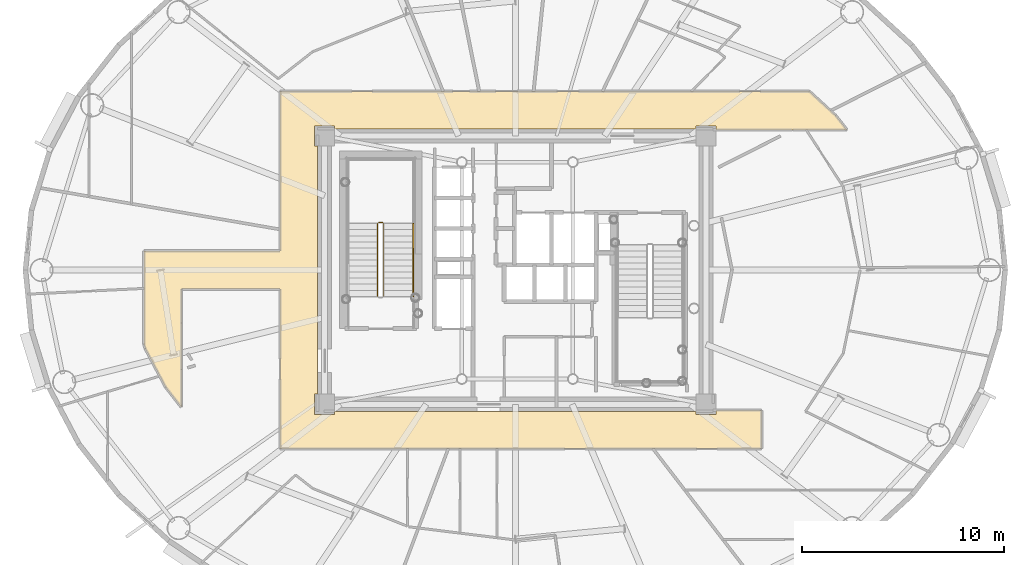
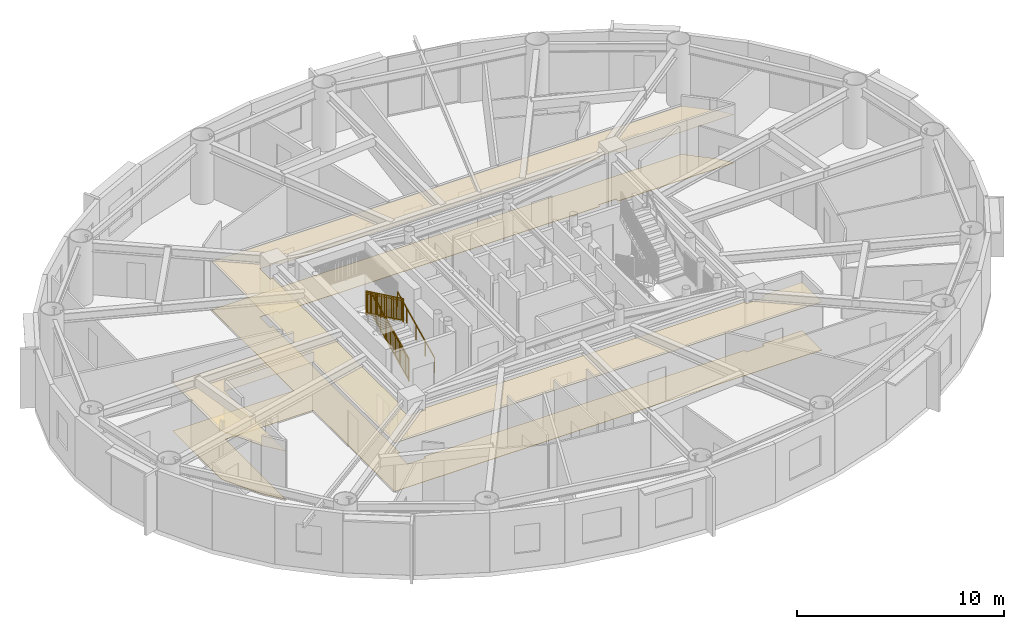
# One storey, part 17 of 21: 4 railings, 2 coverings.
"""IFC4 building model written with IfcOpenShell, lengths in metres."""

from ifc_helpers import new_model, si_unit, direction, frame, origin, origin_2d, place, context, subcontext, project, spatial, polyline, rectangle, outline, extrude, source, transform, mapped, material, layer, layer_set, type_object, element, save


model = new_model("IFC4")

# Units and contexts
model_context = context("Model", 3, precision=1e-05, world=origin(), true_north=direction((0.0, 1.0)))
body_context = subcontext(model_context, "Body", "Model", "MODEL_VIEW")
ifc_project = project(units=[si_unit("LENGTHUNIT", "METRE"), si_unit("AREAUNIT", "SQUARE_METRE"), si_unit("VOLUMEUNIT", "CUBIC_METRE"), si_unit("PLANEANGLEUNIT", "RADIAN"), si_unit("MASSUNIT", "GRAM", prefix="KILO")], contexts=[model_context])

# Site, building, storey
site_placement = place(None, origin())
site = spatial("IfcSite", under=ifc_project, at=site_placement, CompositionType="ELEMENT")
building_placement = place(site_placement, origin())
building = spatial("IfcBuilding", under=site, at=building_placement, Name="Linh Dai School and Residence Tower", CompositionType="ELEMENT")
storey_placement = place(building_placement, frame((0.0, 0.0, 229.050048828125)))
storey = spatial("IfcBuildingStorey", under=building, at=storey_placement, Name="L56", CompositionType="ELEMENT", Elevation=229.050048828125)

# Coverings
ifc_material_1 = material(Name="Mineral Fibre Acoustic Suspended Ceiling", Category="masonry")
ifc_layer_1 = layer(ifc_material_1, 0.02001953125)
ifc_layer_set_1 = layer_set([ifc_layer_1], Name="Mineral Fibre Acoustic Suspended Ceiling")
covering_type_1 = type_object("IfcCoveringType", Name="COV-CEIL-AC-20", PredefinedType="CEILING", material=ifc_layer_set_1)
covering_1_placement = place(storey_placement, frame((0.0, 0.0, 2.849853515625)))
element("IfcCovering", 1, at=covering_1_placement, inside=storey, type_object=covering_type_1, Name="L56 Residential Floor Corridor Suspended Ceiling", PredefinedType="CEILING", context=body_context, shape_type="SweptSolid", body=[
    extrude(outline(polyline([(19.449951171875, 20.211181640625), (18.6806640625, 21.1943359375), (17.66650390625, 23.111083984375), (17.60009765625, 23.327880859375), (17.60009765625, 27.949951171875), (24.35009765625, 27.949951171875), (24.35009765625, 35.85009765625), (50.56787109375, 35.85009765625), (51.873779296875, 34.65283203125), (52.423828125, 33.949951171875), (45.949951171875, 33.949951171875), (45.949951171875, 34.14990234375), (44.949951171875, 34.14990234375), (44.949951171875, 34.0), (27.050048828125, 34.0), (27.050048828125, 34.14990234375), (26.050048828125, 34.14990234375), (26.050048828125, 33.14990234375), (26.199951171875, 33.14990234375), (26.199951171875, 20.85009765625), (26.050048828125, 20.85009765625), (26.050048828125, 19.85009765625), (27.050048828125, 19.85009765625), (27.050048828125, 20.0), (44.949951171875, 20.0), (44.949951171875, 19.85009765625), (45.949951171875, 19.85009765625), (45.949951171875, 20.050048828125), (48.199951171875, 20.050048828125), (48.199951171875, 18.14990234375), (24.35009765625, 18.14990234375), (24.35009765625, 26.050048828125), (19.449951171875, 26.050048828125), (19.449951171875, 20.211181640625)])), origin(), (0.0, 0.0, 1.0), 0.02001953125),
])
ifc_material_2 = material(Name="Polished Terrazzo Floor Finish", Category="masonry")
ifc_layer_2 = layer(ifc_material_2, 0.02490234375)
ifc_layer_set_2 = layer_set([ifc_layer_2], Name="Polished Terrazzo Floor Finish")
covering_type_2 = type_object("IfcCoveringType", Name="COV-FLR-TRZ-25", PredefinedType="FLOORING", material=ifc_layer_set_2)
covering_2_placement = place(storey_placement, origin())
element("IfcCovering", 2, at=covering_2_placement, inside=storey, type_object=covering_type_2, Name="L56 Residential Floor Corridor Floor Finish", PredefinedType="FLOORING", context=body_context, shape_type="SweptSolid", body=[
    extrude(outline(polyline([(19.449951171875, 20.211181640625), (18.6806640625, 21.1943359375), (17.66650390625, 23.111083984375), (17.60009765625, 23.327880859375), (17.60009765625, 27.949951171875), (24.35009765625, 27.949951171875), (24.35009765625, 35.85009765625), (50.56787109375, 35.85009765625), (51.873779296875, 34.65283203125), (52.423828125, 33.949951171875), (45.949951171875, 33.949951171875), (45.949951171875, 34.14990234375), (44.949951171875, 34.14990234375), (44.949951171875, 34.0), (27.050048828125, 34.0), (27.050048828125, 34.14990234375), (26.050048828125, 34.14990234375), (26.050048828125, 33.14990234375), (26.199951171875, 33.14990234375), (26.199951171875, 20.85009765625), (26.050048828125, 20.85009765625), (26.050048828125, 19.85009765625), (27.050048828125, 19.85009765625), (27.050048828125, 20.0), (44.949951171875, 20.0), (44.949951171875, 19.85009765625), (45.949951171875, 19.85009765625), (45.949951171875, 20.050048828125), (48.199951171875, 20.050048828125), (48.199951171875, 18.14990234375), (24.35009765625, 18.14990234375), (24.35009765625, 26.050048828125), (19.449951171875, 26.050048828125), (19.449951171875, 20.211181640625)])), origin(), (0.0, 0.0, 1.0), 0.02001953125),
])

# Railings
ifc_material_3 = material(Name="Structural Steel S355JR", Category="steel")
railing_type_1 = type_object("IfcRailingType", Name="RL-ST-GUARD-1400", PredefinedType="GUARDRAIL", material=ifc_material_3)
shared_shape_1 = source(origin(), body_context, "Body", "SweptSolid", [
    extrude(rectangle(XDim=0.048095703125, YDim=0.048095703125, at=origin_2d()), frame((0.0, 0.0, 1.3759765625), z_axis=(-1.0, 0.0, 0.0), x_axis=(0.0, -1.0, 0.0)), (0.0, 0.0, 1.0), 0.199951171875),
    extrude(rectangle(XDim=0.048095703125, YDim=0.048095703125, at=origin_2d()), frame((0.0, 0.0, 0.10009765625), z_axis=(-1.0, 0.0, 0.0), x_axis=(0.0, -1.0, 0.0)), (0.0, 0.0, 1.0), 0.199951171875),
    extrude(rectangle(XDim=0.030029296875, YDim=0.030029296875, at=origin_2d()), frame((0.0, 0.0, 1.239990234375), z_axis=(-1.0, 0.0, 0.0), x_axis=(0.0, -1.0, 0.0)), (0.0, 0.0, 1.0), 0.199951171875),
    extrude(rectangle(XDim=0.0419921875, YDim=0.0419921875, at=origin_2d()), origin(), (0.0, 0.0, 1.0), 1.3759765625),
    extrude(rectangle(XDim=0.0419921875, YDim=0.0419921875, at=origin_2d()), frame((-0.199951171875, 0.0, 0.0)), (0.0, 0.0, 1.0), 1.3759765625),
])
railing_1_placement = place(storey_placement, frame((29.429931640625, 29.35009765625, 1.875)))
element("IfcRailing", 3, at=railing_1_placement, inside=storey, type_object=railing_type_1, Name="L56 ST1 stair guard 2", PredefinedType="GUARDRAIL", context=body_context, shape_type="MappedRepresentation", body=[
    mapped(shared_shape_1, transform((0.0, 0.0, 0.0), x_axis=(1.0, 0.0, 0.0), y_axis=(0.0, 1.0, 0.0), z_axis=(0.0, 0.0, 1.0), scale=1.0)),
])
shared_shape_2 = source(origin(), body_context, "Body", "SweptSolid", [
    extrude(rectangle(XDim=0.048095703125, YDim=0.048095703125, at=origin_2d()), frame((0.0, 0.0, 1.3759765625), z_axis=(0.0, 0.901262522062, 0.433273431364), x_axis=(-1.0, 0.0, 0.0)), (0.0, 0.0, 1.0), 3.994384765625),
    extrude(rectangle(XDim=0.048095703125, YDim=0.048095703125, at=origin_2d()), frame((0.0, 0.0, 0.10009765625), z_axis=(0.0, 0.901262522062, 0.433273431364), x_axis=(-1.0, 0.0, 0.0)), (0.0, 0.0, 1.0), 3.994384765625),
    extrude(rectangle(XDim=0.030029296875, YDim=0.030029296875, at=origin_2d()), frame((0.0, 0.0, 1.239990234375), z_axis=(0.0, 0.901262522062, 0.433273431364), x_axis=(-1.0, 0.0, 0.0)), (0.0, 0.0, 1.0), 3.994384765625),
    extrude(rectangle(XDim=0.02001953125, YDim=0.02001953125, at=origin_2d()), frame((0.0, 0.087890625, 0.142333984375)), (0.0, 0.0, 1.0), 1.251708984375),
    extrude(rectangle(XDim=0.02001953125, YDim=0.02001953125, at=origin_2d()), frame((0.0, 0.175537109375, 0.1845703125)), (0.0, 0.0, 1.0), 1.251708984375),
    extrude(rectangle(XDim=0.02001953125, YDim=0.02001953125, at=origin_2d()), frame((0.0, 0.263427734375, 0.226806640625)), (0.0, 0.0, 1.0), 1.251708984375),
    extrude(rectangle(XDim=0.02001953125, YDim=0.02001953125, at=origin_2d()), frame((0.0, 0.351318359375, 0.26904296875)), (0.0, 0.0, 1.0), 1.251708984375),
    extrude(rectangle(XDim=0.02001953125, YDim=0.02001953125, at=origin_2d()), frame((0.0, 0.43896484375, 0.311279296875)), (0.0, 0.0, 1.0), 1.251708984375),
    extrude(rectangle(XDim=0.02001953125, YDim=0.02001953125, at=origin_2d()), frame((0.0, 0.52685546875, 0.353271484375)), (0.0, 0.0, 1.0), 1.251708984375),
    extrude(rectangle(XDim=0.02001953125, YDim=0.02001953125, at=origin_2d()), frame((0.0, 0.61474609375, 0.3955078125)), (0.0, 0.0, 1.0), 1.251708984375),
    extrude(rectangle(XDim=0.02001953125, YDim=0.02001953125, at=origin_2d()), frame((0.0, 0.702392578125, 0.437744140625)), (0.0, 0.0, 1.0), 1.251708984375),
    extrude(rectangle(XDim=0.02001953125, YDim=0.02001953125, at=origin_2d()), frame((0.0, 0.790283203125, 0.47998046875)), (0.0, 0.0, 1.0), 1.251708984375),
    extrude(rectangle(XDim=0.02001953125, YDim=0.02001953125, at=origin_2d()), frame((0.0, 0.9658203125, 0.564453125)), (0.0, 0.0, 1.0), 1.251708984375),
    extrude(rectangle(XDim=0.02001953125, YDim=0.02001953125, at=origin_2d()), frame((0.0, 1.0537109375, 0.606689453125)), (0.0, 0.0, 1.0), 1.251708984375),
    extrude(rectangle(XDim=0.02001953125, YDim=0.02001953125, at=origin_2d()), frame((0.0, 1.1416015625, 0.64892578125)), (0.0, 0.0, 1.0), 1.251708984375),
    extrude(rectangle(XDim=0.02001953125, YDim=0.02001953125, at=origin_2d()), frame((0.0, 1.229248046875, 0.691162109375)), (0.0, 0.0, 1.0), 1.251708984375),
    extrude(rectangle(XDim=0.02001953125, YDim=0.02001953125, at=origin_2d()), frame((0.0, 1.317138671875, 0.7333984375)), (0.0, 0.0, 1.0), 1.251708984375),
    extrude(rectangle(XDim=0.02001953125, YDim=0.02001953125, at=origin_2d()), frame((0.0, 1.405029296875, 0.775390625)), (0.0, 0.0, 1.0), 1.251708984375),
    extrude(rectangle(XDim=0.02001953125, YDim=0.02001953125, at=origin_2d()), frame((0.0, 1.49267578125, 0.817626953125)), (0.0, 0.0, 1.0), 1.251708984375),
    extrude(rectangle(XDim=0.02001953125, YDim=0.02001953125, at=origin_2d()), frame((0.0, 1.58056640625, 0.85986328125)), (0.0, 0.0, 1.0), 1.251708984375),
    extrude(rectangle(XDim=0.02001953125, YDim=0.02001953125, at=origin_2d()), frame((0.0, 1.66845703125, 0.902099609375)), (0.0, 0.0, 1.0), 1.251708984375),
    extrude(rectangle(XDim=0.02001953125, YDim=0.02001953125, at=origin_2d()), frame((0.0, 1.756103515625, 0.9443359375)), (0.0, 0.0, 1.0), 1.251708984375),
    extrude(rectangle(XDim=0.02001953125, YDim=0.02001953125, at=origin_2d()), frame((0.0, 1.843994140625, 0.986572265625)), (0.0, 0.0, 1.0), 1.251708984375),
    extrude(rectangle(XDim=0.02001953125, YDim=0.02001953125, at=origin_2d()), frame((0.0, 1.931640625, 1.02880859375)), (0.0, 0.0, 1.0), 1.251708984375),
    extrude(rectangle(XDim=0.02001953125, YDim=0.02001953125, at=origin_2d()), frame((0.0, 2.01953125, 1.071044921875)), (0.0, 0.0, 1.0), 1.251708984375),
    extrude(rectangle(XDim=0.02001953125, YDim=0.02001953125, at=origin_2d()), frame((0.0, 2.107421875, 1.11328125)), (0.0, 0.0, 1.0), 1.251708984375),
    extrude(rectangle(XDim=0.02001953125, YDim=0.02001953125, at=origin_2d()), frame((0.0, 2.195068359375, 1.155517578125)), (0.0, 0.0, 1.0), 1.251708984375),
    extrude(rectangle(XDim=0.02001953125, YDim=0.02001953125, at=origin_2d()), frame((0.0, 2.282958984375, 1.197509765625)), (0.0, 0.0, 1.0), 1.251708984375),
    extrude(rectangle(XDim=0.02001953125, YDim=0.02001953125, at=origin_2d()), frame((0.0, 2.370849609375, 1.23974609375)), (0.0, 0.0, 1.0), 1.251708984375),
    extrude(rectangle(XDim=0.02001953125, YDim=0.02001953125, at=origin_2d()), frame((0.0, 2.45849609375, 1.281982421875)), (0.0, 0.0, 1.0), 1.251708984375),
    extrude(rectangle(XDim=0.02001953125, YDim=0.02001953125, at=origin_2d()), frame((0.0, 2.54638671875, 1.32421875)), (0.0, 0.0, 1.0), 1.251708984375),
    extrude(rectangle(XDim=0.02001953125, YDim=0.02001953125, at=origin_2d()), frame((0.0, 2.63427734375, 1.366455078125)), (0.0, 0.0, 1.0), 1.251708984375),
    extrude(rectangle(XDim=0.02001953125, YDim=0.02001953125, at=origin_2d()), frame((0.0, 2.809814453125, 1.450927734375)), (0.0, 0.0, 1.0), 1.251708984375),
    extrude(rectangle(XDim=0.02001953125, YDim=0.02001953125, at=origin_2d()), frame((0.0, 2.897705078125, 1.4931640625)), (0.0, 0.0, 1.0), 1.251708984375),
    extrude(rectangle(XDim=0.02001953125, YDim=0.02001953125, at=origin_2d()), frame((0.0, 2.9853515625, 1.535400390625)), (0.0, 0.0, 1.0), 1.251708984375),
    extrude(rectangle(XDim=0.02001953125, YDim=0.02001953125, at=origin_2d()), frame((0.0, 3.0732421875, 1.57763671875)), (0.0, 0.0, 1.0), 1.251708984375),
    extrude(rectangle(XDim=0.02001953125, YDim=0.02001953125, at=origin_2d()), frame((0.0, 3.1611328125, 1.61962890625)), (0.0, 0.0, 1.0), 1.251708984375),
    extrude(rectangle(XDim=0.02001953125, YDim=0.02001953125, at=origin_2d()), frame((0.0, 3.248779296875, 1.661865234375)), (0.0, 0.0, 1.0), 1.251708984375),
    extrude(rectangle(XDim=0.02001953125, YDim=0.02001953125, at=origin_2d()), frame((0.0, 3.336669921875, 1.7041015625)), (0.0, 0.0, 1.0), 1.251708984375),
    extrude(rectangle(XDim=0.02001953125, YDim=0.02001953125, at=origin_2d()), frame((0.0, 3.424560546875, 1.746337890625)), (0.0, 0.0, 1.0), 1.251708984375),
    extrude(rectangle(XDim=0.02001953125, YDim=0.02001953125, at=origin_2d()), frame((0.0, 3.51220703125, 1.78857421875)), (0.0, 0.0, 1.0), 1.251708984375),
    extrude(rectangle(XDim=0.0419921875, YDim=0.0419921875, at=origin_2d()), origin(), (0.0, 0.0, 1.0), 1.3759765625),
    extrude(rectangle(XDim=0.0419921875, YDim=0.0419921875, at=origin_2d()), frame((0.0, 0.89990234375, 0.4326171875)), (0.0, 0.0, 1.0), 1.3759765625),
    extrude(rectangle(XDim=0.0419921875, YDim=0.0419921875, at=origin_2d()), frame((0.0, 1.800048828125, 0.865234375)), (0.0, 0.0, 1.0), 1.3759765625),
    extrude(rectangle(XDim=0.0419921875, YDim=0.0419921875, at=origin_2d()), frame((0.0, 2.7001953125, 1.298095703125)), (0.0, 0.0, 1.0), 1.3759765625),
    extrude(rectangle(XDim=0.0419921875, YDim=0.0419921875, at=origin_2d()), frame((0.0, 3.60009765625, 1.730712890625)), (0.0, 0.0, 1.0), 1.3759765625),
])
railing_2_placement = place(storey_placement, frame((29.47998046875, 25.699951171875, 0.144287109375)))
element("IfcRailing", 4, at=railing_2_placement, inside=storey, type_object=railing_type_1, Name="L56 ST1 stair guard 1", PredefinedType="GUARDRAIL", context=body_context, shape_type="MappedRepresentation", body=[
    mapped(shared_shape_2, transform((0.0, 0.0, 0.0), x_axis=(1.0, 0.0, 0.0), y_axis=(0.0, 1.0, 0.0), z_axis=(0.0, 0.0, 1.0), scale=1.0)),
])
shared_shape_3 = source(origin(), body_context, "Body", "SweptSolid", [
    extrude(rectangle(XDim=0.048095703125, YDim=0.048095703125, at=origin_2d()), frame((0.0, 0.0, 1.3759765625), z_axis=(0.0, -0.901262522062, 0.433273431364), x_axis=(1.0, 0.0, 0.0)), (0.0, 0.0, 1.0), 3.994384765625),
    extrude(rectangle(XDim=0.048095703125, YDim=0.048095703125, at=origin_2d()), frame((0.0, 0.0, 0.10009765625), z_axis=(0.0, -0.901262522062, 0.433273431364), x_axis=(1.0, 0.0, 0.0)), (0.0, 0.0, 1.0), 3.994384765625),
    extrude(rectangle(XDim=0.030029296875, YDim=0.030029296875, at=origin_2d()), frame((0.0, 0.0, 1.239990234375), z_axis=(0.0, -0.901262522062, 0.433273431364), x_axis=(1.0, 0.0, 0.0)), (0.0, 0.0, 1.0), 3.994384765625),
    extrude(rectangle(XDim=0.02001953125, YDim=0.02001953125, at=origin_2d()), frame((0.0, -0.087890625, 0.142333984375)), (0.0, 0.0, 1.0), 1.251708984375),
    extrude(rectangle(XDim=0.02001953125, YDim=0.02001953125, at=origin_2d()), frame((0.0, -0.175537109375, 0.1845703125)), (0.0, 0.0, 1.0), 1.251708984375),
    extrude(rectangle(XDim=0.02001953125, YDim=0.02001953125, at=origin_2d()), frame((0.0, -0.263427734375, 0.226806640625)), (0.0, 0.0, 1.0), 1.251708984375),
    extrude(rectangle(XDim=0.02001953125, YDim=0.02001953125, at=origin_2d()), frame((0.0, -0.351318359375, 0.26904296875)), (0.0, 0.0, 1.0), 1.251708984375),
    extrude(rectangle(XDim=0.02001953125, YDim=0.02001953125, at=origin_2d()), frame((0.0, -0.43896484375, 0.311279296875)), (0.0, 0.0, 1.0), 1.251708984375),
    extrude(rectangle(XDim=0.02001953125, YDim=0.02001953125, at=origin_2d()), frame((0.0, -0.52685546875, 0.353271484375)), (0.0, 0.0, 1.0), 1.251708984375),
    extrude(rectangle(XDim=0.02001953125, YDim=0.02001953125, at=origin_2d()), frame((0.0, -0.61474609375, 0.3955078125)), (0.0, 0.0, 1.0), 1.251708984375),
    extrude(rectangle(XDim=0.02001953125, YDim=0.02001953125, at=origin_2d()), frame((0.0, -0.702392578125, 0.437744140625)), (0.0, 0.0, 1.0), 1.251708984375),
    extrude(rectangle(XDim=0.02001953125, YDim=0.02001953125, at=origin_2d()), frame((0.0, -0.790283203125, 0.47998046875)), (0.0, 0.0, 1.0), 1.251708984375),
    extrude(rectangle(XDim=0.02001953125, YDim=0.02001953125, at=origin_2d()), frame((0.0, -0.9658203125, 0.564453125)), (0.0, 0.0, 1.0), 1.251708984375),
    extrude(rectangle(XDim=0.02001953125, YDim=0.02001953125, at=origin_2d()), frame((0.0, -1.0537109375, 0.606689453125)), (0.0, 0.0, 1.0), 1.251708984375),
    extrude(rectangle(XDim=0.02001953125, YDim=0.02001953125, at=origin_2d()), frame((0.0, -1.1416015625, 0.64892578125)), (0.0, 0.0, 1.0), 1.251708984375),
    extrude(rectangle(XDim=0.02001953125, YDim=0.02001953125, at=origin_2d()), frame((0.0, -1.229248046875, 0.691162109375)), (0.0, 0.0, 1.0), 1.251708984375),
    extrude(rectangle(XDim=0.02001953125, YDim=0.02001953125, at=origin_2d()), frame((0.0, -1.317138671875, 0.7333984375)), (0.0, 0.0, 1.0), 1.251708984375),
    extrude(rectangle(XDim=0.02001953125, YDim=0.02001953125, at=origin_2d()), frame((0.0, -1.405029296875, 0.775390625)), (0.0, 0.0, 1.0), 1.251708984375),
    extrude(rectangle(XDim=0.02001953125, YDim=0.02001953125, at=origin_2d()), frame((0.0, -1.49267578125, 0.817626953125)), (0.0, 0.0, 1.0), 1.251708984375),
    extrude(rectangle(XDim=0.02001953125, YDim=0.02001953125, at=origin_2d()), frame((0.0, -1.58056640625, 0.85986328125)), (0.0, 0.0, 1.0), 1.251708984375),
    extrude(rectangle(XDim=0.02001953125, YDim=0.02001953125, at=origin_2d()), frame((0.0, -1.66845703125, 0.902099609375)), (0.0, 0.0, 1.0), 1.251708984375),
    extrude(rectangle(XDim=0.02001953125, YDim=0.02001953125, at=origin_2d()), frame((0.0, -1.756103515625, 0.9443359375)), (0.0, 0.0, 1.0), 1.251708984375),
    extrude(rectangle(XDim=0.02001953125, YDim=0.02001953125, at=origin_2d()), frame((0.0, -1.843994140625, 0.986572265625)), (0.0, 0.0, 1.0), 1.251708984375),
    extrude(rectangle(XDim=0.02001953125, YDim=0.02001953125, at=origin_2d()), frame((0.0, -1.931640625, 1.02880859375)), (0.0, 0.0, 1.0), 1.251708984375),
    extrude(rectangle(XDim=0.02001953125, YDim=0.02001953125, at=origin_2d()), frame((0.0, -2.01953125, 1.071044921875)), (0.0, 0.0, 1.0), 1.251708984375),
    extrude(rectangle(XDim=0.02001953125, YDim=0.02001953125, at=origin_2d()), frame((0.0, -2.107421875, 1.11328125)), (0.0, 0.0, 1.0), 1.251708984375),
    extrude(rectangle(XDim=0.02001953125, YDim=0.02001953125, at=origin_2d()), frame((0.0, -2.195068359375, 1.155517578125)), (0.0, 0.0, 1.0), 1.251708984375),
    extrude(rectangle(XDim=0.02001953125, YDim=0.02001953125, at=origin_2d()), frame((0.0, -2.282958984375, 1.197509765625)), (0.0, 0.0, 1.0), 1.251708984375),
    extrude(rectangle(XDim=0.02001953125, YDim=0.02001953125, at=origin_2d()), frame((0.0, -2.370849609375, 1.23974609375)), (0.0, 0.0, 1.0), 1.251708984375),
    extrude(rectangle(XDim=0.02001953125, YDim=0.02001953125, at=origin_2d()), frame((0.0, -2.45849609375, 1.281982421875)), (0.0, 0.0, 1.0), 1.251708984375),
    extrude(rectangle(XDim=0.02001953125, YDim=0.02001953125, at=origin_2d()), frame((0.0, -2.54638671875, 1.32421875)), (0.0, 0.0, 1.0), 1.251708984375),
    extrude(rectangle(XDim=0.02001953125, YDim=0.02001953125, at=origin_2d()), frame((0.0, -2.63427734375, 1.366455078125)), (0.0, 0.0, 1.0), 1.251708984375),
    extrude(rectangle(XDim=0.02001953125, YDim=0.02001953125, at=origin_2d()), frame((0.0, -2.809814453125, 1.450927734375)), (0.0, 0.0, 1.0), 1.251708984375),
    extrude(rectangle(XDim=0.02001953125, YDim=0.02001953125, at=origin_2d()), frame((0.0, -2.897705078125, 1.4931640625)), (0.0, 0.0, 1.0), 1.251708984375),
    extrude(rectangle(XDim=0.02001953125, YDim=0.02001953125, at=origin_2d()), frame((0.0, -2.9853515625, 1.535400390625)), (0.0, 0.0, 1.0), 1.251708984375),
    extrude(rectangle(XDim=0.02001953125, YDim=0.02001953125, at=origin_2d()), frame((0.0, -3.0732421875, 1.57763671875)), (0.0, 0.0, 1.0), 1.251708984375),
    extrude(rectangle(XDim=0.02001953125, YDim=0.02001953125, at=origin_2d()), frame((0.0, -3.1611328125, 1.61962890625)), (0.0, 0.0, 1.0), 1.251708984375),
    extrude(rectangle(XDim=0.02001953125, YDim=0.02001953125, at=origin_2d()), frame((0.0, -3.248779296875, 1.661865234375)), (0.0, 0.0, 1.0), 1.251708984375),
    extrude(rectangle(XDim=0.02001953125, YDim=0.02001953125, at=origin_2d()), frame((0.0, -3.336669921875, 1.7041015625)), (0.0, 0.0, 1.0), 1.251708984375),
    extrude(rectangle(XDim=0.02001953125, YDim=0.02001953125, at=origin_2d()), frame((0.0, -3.424560546875, 1.746337890625)), (0.0, 0.0, 1.0), 1.251708984375),
    extrude(rectangle(XDim=0.02001953125, YDim=0.02001953125, at=origin_2d()), frame((0.0, -3.51220703125, 1.78857421875)), (0.0, 0.0, 1.0), 1.251708984375),
    extrude(rectangle(XDim=0.0419921875, YDim=0.0419921875, at=origin_2d()), origin(), (0.0, 0.0, 1.0), 1.3759765625),
    extrude(rectangle(XDim=0.0419921875, YDim=0.0419921875, at=origin_2d()), frame((0.0, -0.89990234375, 0.4326171875)), (0.0, 0.0, 1.0), 1.3759765625),
    extrude(rectangle(XDim=0.0419921875, YDim=0.0419921875, at=origin_2d()), frame((0.0, -1.800048828125, 0.865234375)), (0.0, 0.0, 1.0), 1.3759765625),
    extrude(rectangle(XDim=0.0419921875, YDim=0.0419921875, at=origin_2d()), frame((0.0, -2.7001953125, 1.298095703125)), (0.0, 0.0, 1.0), 1.3759765625),
    extrude(rectangle(XDim=0.0419921875, YDim=0.0419921875, at=origin_2d()), frame((0.0, -3.60009765625, 1.730712890625)), (0.0, 0.0, 1.0), 1.3759765625),
])
railing_3_placement = place(storey_placement, frame((29.179931640625, 29.300048828125, 2.019287109375)))
element("IfcRailing", 5, at=railing_3_placement, inside=storey, type_object=railing_type_1, Name="L56 ST1 stair guard 6", PredefinedType="GUARDRAIL", context=body_context, shape_type="MappedRepresentation", body=[
    mapped(shared_shape_3, transform((0.0, 0.0, 0.0), x_axis=(1.0, 0.0, 0.0), y_axis=(0.0, 1.0, 0.0), z_axis=(0.0, 0.0, 1.0), scale=1.0)),
])
ifc_material_4 = material(Name="Brushed Stainless Steel Handrail", Category="steel")
railing_type_2 = type_object("IfcRailingType", Name="RL-ST-HANDRAIL-900", PredefinedType="HANDRAIL", material=ifc_material_4)
shared_shape_4 = source(origin(), body_context, "Body", "SweptSolid", [
    extrude(rectangle(XDim=0.048095703125, YDim=0.048095703125, at=origin_2d()), frame((0.0, 0.0, 0.8759765625), z_axis=(0.0, 0.901262522062, 0.433273431364), x_axis=(-1.0, 0.0, 0.0)), (0.0, 0.0, 1.0), 3.994384765625),
    extrude(rectangle(XDim=0.0419921875, YDim=0.0419921875, at=origin_2d()), origin(), (0.0, 0.0, 1.0), 0.8759765625),
    extrude(rectangle(XDim=0.0419921875, YDim=0.0419921875, at=origin_2d()), frame((0.0, 0.89990234375, 0.4326171875)), (0.0, 0.0, 1.0), 0.8759765625),
    extrude(rectangle(XDim=0.0419921875, YDim=0.0419921875, at=origin_2d()), frame((0.0, 1.800048828125, 0.865234375)), (0.0, 0.0, 1.0), 0.8759765625),
    extrude(rectangle(XDim=0.0419921875, YDim=0.0419921875, at=origin_2d()), frame((0.0, 2.7001953125, 1.298095703125)), (0.0, 0.0, 1.0), 0.8759765625),
    extrude(rectangle(XDim=0.0419921875, YDim=0.0419921875, at=origin_2d()), frame((0.0, 3.60009765625, 1.730712890625)), (0.0, 0.0, 1.0), 0.8759765625),
])
railing_4_placement = place(storey_placement, frame((30.929931640625, 25.699951171875, 0.144287109375)))
element("IfcRailing", 6, at=railing_4_placement, inside=storey, type_object=railing_type_2, Name="L56 ST1 stair handrail 1", PredefinedType="HANDRAIL", context=body_context, shape_type="MappedRepresentation", body=[
    mapped(shared_shape_4, transform((0.0, 0.0, 0.0), x_axis=(1.0, 0.0, 0.0), y_axis=(0.0, 1.0, 0.0), z_axis=(0.0, 0.0, 1.0), scale=1.0)),
])

save(model, "model.ifc")
